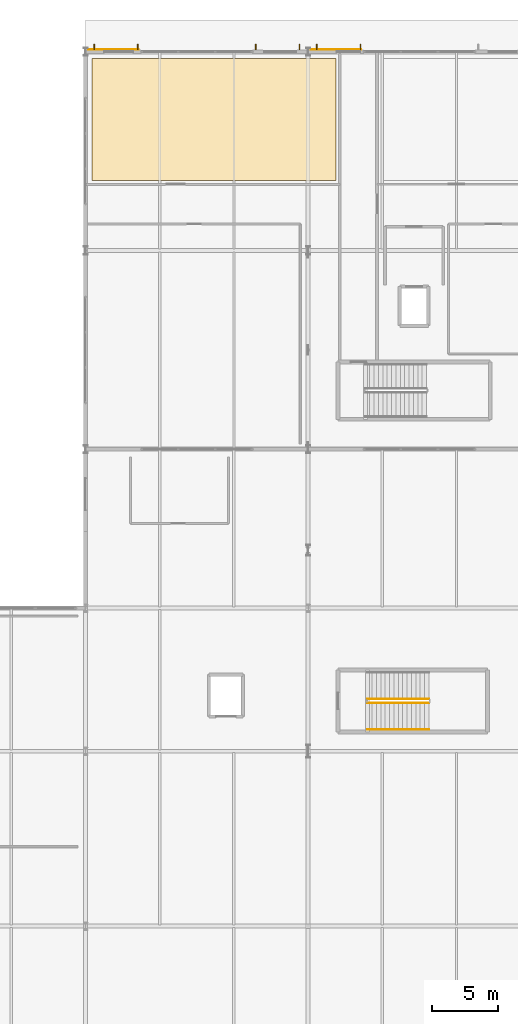
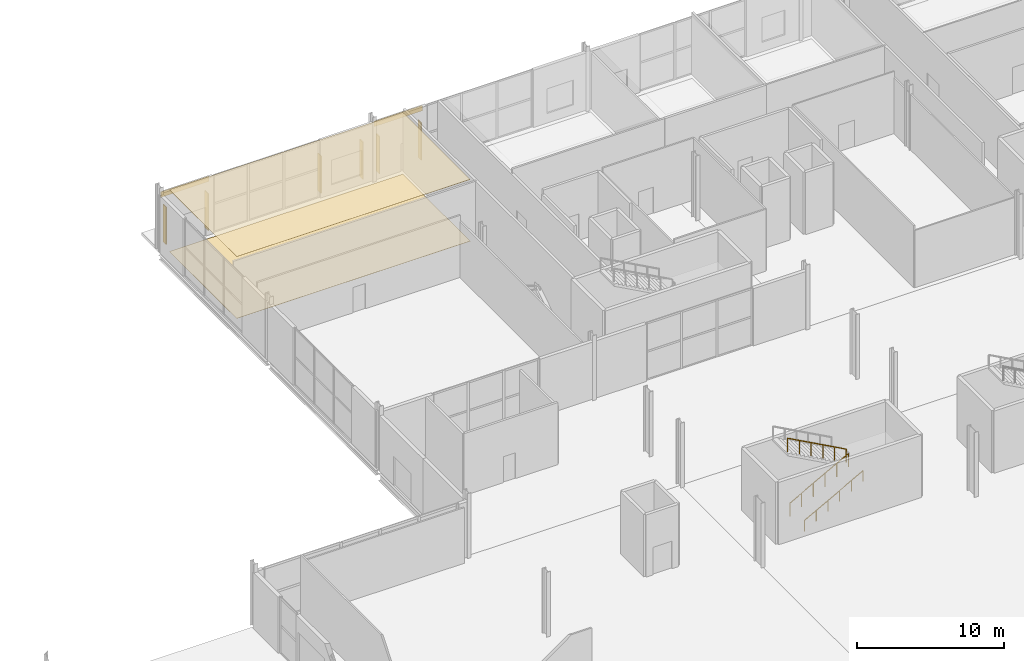
# One storey, part 76 of 87: 6 shading devices, 4 coverings, 3 railings.
"""IFC4 building model written with IfcOpenShell, lengths in metres."""

import ifcopenshell
import ifcopenshell.guid

model = None  # the IFC model being written
_history = None  # IfcOwnerHistory: only IFC2X3 demands one
_inside = {}  # id of a spatial element -> (the spatial element, [elements in it])
_under = {}  # id of a project, library or spatial element -> (it, [spatial elements below it])
_declared = {}  # id of a project -> (the project, [libraries it declares])
_typed = {}  # id of a type object -> (the type object, [elements of that type])
_made_of = {}  # id of a material, layer set ... -> (it, [elements and type objects made of it])


def new_model(schema):
    """Start an empty IFC model of exactly this schema.

    Asked for "IFC4X3", IfcOpenShell would pick the latest addendum, in which some entities
    have other attributes; the version numbers below select the first issue.
    IFC2X3 requires an IfcOwnerHistory on every rooted entity: one is made here for all.
    """
    global model, _history
    if schema == "IFC4X3":
        model = ifcopenshell.file(schema_version=(4, 3, 0, 0))
    else:
        model = ifcopenshell.file(schema=schema)
    _inside.clear()
    _under.clear()
    _declared.clear()
    _typed.clear()
    _made_of.clear()
    _history = None
    if model.schema == "IFC2X3":
        org = make("IfcOrganization", Name="unknown")
        user = make(
            "IfcPersonAndOrganization",
            ThePerson=make("IfcPerson", FamilyName="unknown"),
            TheOrganization=org,
        )
        app = make(
            "IfcApplication",
            ApplicationDeveloper=org,
            Version="unknown",
            ApplicationFullName="unknown",
            ApplicationIdentifier="unknown",
        )
        _history = make(
            "IfcOwnerHistory",
            OwningUser=user,
            OwningApplication=app,
            ChangeAction="ADDED",
            CreationDate=0,
        )
    return model


def make(cls, **values):
    """One entity of the class cls with the attributes given. An attribute that is None is left unset."""
    return model.create_entity(
        cls, **{name: value for name, value in values.items() if value is not None}
    )


def rooted(cls, **values):
    """An entity with a GlobalId (a new one), such as an element, a storey or a relation."""
    return make(cls, GlobalId=ifcopenshell.guid.new(), OwnerHistory=_history, **values)


def si_unit(unit_type, name, prefix=None):
    """IfcSIUnit, for example si_unit("LENGTHUNIT", "METRE", prefix="MILLI")."""
    return make("IfcSIUnit", UnitType=unit_type, Prefix=prefix, Name=name)


def assignment(units):
    """IfcUnitAssignment: the units of a project."""
    return None if units is None else make("IfcUnitAssignment", Units=units)


def point(xyz):
    """IfcCartesianPoint."""
    return None if xyz is None else make("IfcCartesianPoint", Coordinates=xyz)


def direction(xyz):
    """IfcDirection."""
    return None if xyz is None else make("IfcDirection", DirectionRatios=xyz)


def frame(location, z_axis=None, x_axis=None):
    """IfcAxis2Placement3D, a coordinate frame: its origin and axes. An axis left out is left unset."""
    return make(
        "IfcAxis2Placement3D",
        Location=point(location),
        Axis=direction(z_axis),
        RefDirection=direction(x_axis),
    )


def frame_2d(location, x_axis=None):
    """IfcAxis2Placement2D, a coordinate frame in the plane: its origin and x axis."""
    return make(
        "IfcAxis2Placement2D", Location=point(location), RefDirection=direction(x_axis)
    )


def origin():
    """The frame at (0, 0, 0) with its axes left unset."""
    return frame((0.0, 0.0, 0.0))


def origin_2d():
    """The frame at (0, 0) in the plane with its x axis left unset."""
    return frame_2d((0.0, 0.0))


def place(relative_to, where):
    """IfcLocalPlacement: puts the frame where relative to a parent placement (None: the world)."""
    return make(
        "IfcLocalPlacement", PlacementRelTo=relative_to, RelativePlacement=where
    )


def context(
    kind, dimensions, precision=None, world=None, true_north=None, identifier=None
):
    """IfcGeometricRepresentationContext, for example the 3D "Model" context."""
    return make(
        "IfcGeometricRepresentationContext",
        ContextIdentifier=identifier,
        ContextType=kind,
        CoordinateSpaceDimension=dimensions,
        Precision=precision,
        WorldCoordinateSystem=world,
        TrueNorth=true_north,
    )


def subcontext(parent, identifier, kind, view, scale=None):
    """IfcGeometricRepresentationSubContext, for example "Body" below "Model"."""
    return make(
        "IfcGeometricRepresentationSubContext",
        ContextIdentifier=identifier,
        ContextType=kind,
        ParentContext=parent,
        TargetScale=scale,
        TargetView=view,
    )


def project(units=None, contexts=None):
    """IfcProject with its units and contexts."""
    return rooted(
        "IfcProject",
        Name="project",
        RepresentationContexts=contexts,
        UnitsInContext=assignment(units),
    )


def spatial(cls, under=None, at=None, **own):
    """A site, building, storey or space (cls), placed at a placement, below another one or the project."""
    s = rooted(cls, ObjectPlacement=at, **own)
    if under is not None:
        _under.setdefault(under.id(), (under, []))[1].append(s)
    return s


def polyline(points):
    """IfcPolyline through the points."""
    return make("IfcPolyline", Points=[point(p) for p in points])


def profile(cls, at=None, kind="AREA", **sizes):
    """A parametric profile (cls). Its sizes go by their IFC names, for example OverallWidth=200.0."""
    return make(cls, ProfileType=kind, Position=at, **sizes)


def rectangle(**sizes):
    """IfcRectangleProfileDef."""
    return profile("IfcRectangleProfileDef", **sizes)


def circle(**sizes):
    """IfcCircleProfileDef."""
    return profile("IfcCircleProfileDef", **sizes)


def outline(outer, holes=None, kind="AREA"):
    """IfcArbitraryClosedProfileDef: a profile drawn as a closed curve; with holes, ...WithVoids."""
    if holes is None:
        return make("IfcArbitraryClosedProfileDef", ProfileType=kind, OuterCurve=outer)
    return make(
        "IfcArbitraryProfileDefWithVoids",
        ProfileType=kind,
        OuterCurve=outer,
        InnerCurves=holes,
    )


def extrude(swept, where, along, depth):
    """IfcExtrudedAreaSolid: the profile swept, set in the frame where, extruded along a direction by depth."""
    return make(
        "IfcExtrudedAreaSolid",
        SweptArea=swept,
        Position=where,
        ExtrudedDirection=direction(along),
        Depth=depth,
    )


def shape(context_of_items, identifier, shape_type, items):
    """IfcShapeRepresentation: the items that make up one representation, for example the "Body"."""
    return make(
        "IfcShapeRepresentation",
        ContextOfItems=context_of_items,
        RepresentationIdentifier=identifier,
        RepresentationType=shape_type,
        Items=items,
    )


def material(Name=None, Category=None):
    """IfcMaterial."""
    return make("IfcMaterial", Name=Name, Category=Category)


def layer(
    of_material, thickness, ventilated=None, Name=None, Category=None, Priority=None
):
    """IfcMaterialLayer: one layer of a wall or slab, of a material (None: an air gap)."""
    return make(
        "IfcMaterialLayer",
        Material=of_material,
        LayerThickness=thickness,
        IsVentilated=ventilated,
        Name=Name,
        Category=Category,
        Priority=Priority,
    )


def layer_set(layers, Name=None):
    """IfcMaterialLayerSet."""
    return make("IfcMaterialLayerSet", MaterialLayers=layers, LayerSetName=Name)


def made_of(thing, what):
    """Note that an element or type object is made of a material, layer set ...; save() writes the relation."""
    if what is not None:
        _made_of.setdefault(what.id(), (what, []))[1].append(thing)
    return thing


def type_object(cls, material=None, **own):
    """A type object (cls), such as IfcWallType, which elements share."""
    return made_of(rooted(cls, **own), material)


def element(
    cls,
    number,
    at=None,
    inside=None,
    cuts=None,
    type_object=None,
    material=None,
    context=None,
    identifier="Body",
    shape_type=None,
    held_by="IfcProductDefinitionShape",
    body=None,
    shapes=None,
    **own,
):
    """One element of the class cls, such as IfcWall. Its Tag is "e" and its number.

    at: its placement. inside: the storey or other place that contains it. cuts: it is an
    opening in that element (IfcRelVoidsElement). A single representation is given by context,
    identifier, shape_type and body (its items); several are given by shapes. held_by: the class
    of the entity that holds the representations. save() writes the other relations.
    """
    e = rooted(cls, Tag="e%d" % number, ObjectPlacement=at, **own)
    if body is not None:
        shapes = [shape(context, identifier, shape_type, body)]
    if shapes is not None:
        e.Representation = make(held_by, Representations=shapes)
    if inside is not None:
        _inside.setdefault(inside.id(), (inside, []))[1].append(e)
    if cuts is not None:
        rooted(
            "IfcRelVoidsElement", RelatingBuildingElement=cuts, RelatedOpeningElement=e
        )
    if type_object is not None:
        _typed.setdefault(type_object.id(), (type_object, []))[1].append(e)
    return made_of(e, material)


def aggregate(whole, parts):
    """IfcRelAggregates: a whole, such as a stair, and the parts it consists of."""
    return rooted("IfcRelAggregates", RelatingObject=whole, RelatedObjects=parts)


def save(model, path):
    """Write the relations noted so far, then the file.

    IfcRelAggregates (storeys below a building ...), IfcRelContainedInSpatialStructure (elements
    in a storey), IfcRelDefinesByType, IfcRelAssociatesMaterial and IfcRelDeclares: one each for
    every whole, place, type object, material and project.
    """
    for whole, parts in _under.values():
        aggregate(whole, parts)
    for where, things in _inside.values():
        rooted(
            "IfcRelContainedInSpatialStructure",
            RelatedElements=things,
            RelatingStructure=where,
        )
    for kind, things in _typed.values():
        rooted("IfcRelDefinesByType", RelatedObjects=things, RelatingType=kind)
    for what, things in _made_of.values():
        rooted("IfcRelAssociatesMaterial", RelatedObjects=things, RelatingMaterial=what)
    for by, libraries in _declared.values():
        rooted("IfcRelDeclares", RelatingContext=by, RelatedDefinitions=libraries)
    model.write(path)


model = new_model("IFC4")

# Units and contexts
model_context = context("Model", 3, precision=1e-05, world=origin(), true_north=direction((0.0, 1.0)))
body_context = subcontext(model_context, "Body", "Model", "MODEL_VIEW")
ifc_project = project(units=[si_unit("LENGTHUNIT", "METRE"), si_unit("AREAUNIT", "SQUARE_METRE"), si_unit("VOLUMEUNIT", "CUBIC_METRE"), si_unit("PLANEANGLEUNIT", "RADIAN"), si_unit("MASSUNIT", "GRAM", prefix="KILO")], contexts=[model_context])

# Site, building, storey
site_placement = place(None, origin())
site = spatial("IfcSite", under=ifc_project, at=site_placement, CompositionType="ELEMENT")
building_placement = place(site_placement, origin())
building = spatial("IfcBuilding", under=site, at=building_placement, Name="Kimbaza Rail Terminus", CompositionType="ELEMENT")
storey_placement = place(building_placement, origin())
storey = spatial("IfcBuildingStorey", under=building, at=storey_placement, Name="L00", CompositionType="ELEMENT", Elevation=0.0)

# Coverings
ifc_material_1 = material(Name="Perforated acoustic mineral ceiling tile", Category="gypsum")
ifc_layer_1 = layer(ifc_material_1, 0.02490234375)
ifc_layer_set_1 = layer_set([ifc_layer_1], Name="Perforated acoustic mineral ceiling tile")
covering_type_1 = type_object("IfcCoveringType", Name="ARC-COV-CEIL", PredefinedType="CEILING", material=ifc_layer_set_1)
covering_1_placement = place(storey_placement, frame((0.0, 0.0, 5.139892578125)))
element("IfcCovering", 1, at=covering_1_placement, inside=storey, type_object=covering_type_1, Name="Operations Staff Entrance Reception Acoustic Ceiling", PredefinedType="CEILING", context=body_context, shape_type="SweptSolid", body=[
    extrude(outline(polyline([(55.699951171875, 123.300048828125), (74.10009765625, 123.300048828125), (74.10009765625, 132.5), (55.699951171875, 132.5), (55.699951171875, 123.300048828125)])), origin(), (0.0, 0.0, 1.0), 0.025146484375),
])
ifc_material_2 = material(Name="Champagne anodised aluminium spandrel cladding", Category="aluminium")
ifc_layer_2 = layer(ifc_material_2, 0.034912109375)
ifc_layer_set_2 = layer_set([ifc_layer_2], Name="Champagne anodised aluminium spandrel cladding")
covering_type_2 = type_object("IfcCoveringType", Name="ARC-COV-CLD1", PredefinedType="CLADDING", material=ifc_layer_set_2)
for number, where, z_axis, x_axis, name in (
    (2, (57.300048828125, 133.156005859375, 4.240234375), (0.0, 0.0, 1.0), (1.0, 0.0, 0.0), "North Spandrel Cladding L00 Bay 1"),
    (3, (74.10009765625, 133.156005859375, 4.240234375), (0.0, 0.0, 1.0), (1.0, 0.0, 0.0), "North Spandrel Cladding L00 Bay 2"),
):
    element("IfcCovering", number, at=place(storey_placement, frame(where, z_axis=z_axis, x_axis=x_axis)), inside=storey, type_object=covering_type_2, Name=name, PredefinedType="CLADDING", context=body_context, shape_type="SweptSolid", body=[
        extrude(rectangle(XDim=3.800048828125, YDim=0.034912109375, at=origin_2d()), origin(), (0.0, 0.0, 1.0), 0.449951171875),
    ])
ifc_material_3 = material(Name="Honed Congolese granite terrazzo flooring", Category="masonry")
ifc_layer_3 = layer(ifc_material_3, 0.02001953125)
ifc_layer_set_3 = layer_set([ifc_layer_3], Name="Honed Congolese granite terrazzo flooring")
covering_type_3 = type_object("IfcCoveringType", Name="ARC-COV-FLOR", PredefinedType="FLOORING", material=ifc_layer_set_3)
covering_2_placement = place(storey_placement, origin())
element("IfcCovering", 4, at=covering_2_placement, inside=storey, type_object=covering_type_3, Name="Operations Staff Entrance Reception Terrazzo Flooring", PredefinedType="FLOORING", context=body_context, shape_type="SweptSolid", body=[
    extrude(outline(polyline([(55.699951171875, 123.300048828125), (74.10009765625, 123.300048828125), (74.10009765625, 132.5), (55.699951171875, 132.5), (55.699951171875, 123.300048828125)])), origin(), (0.0, 0.0, 1.0), 0.02001953125),
])

# Railings
ifc_material_4 = material(Name="Brushed stainless steel handrail", Category="steel")
railing_type_1 = type_object("IfcRailingType", Name="ARC-RL-HND92", PredefinedType="HANDRAIL", material=ifc_material_4)
railing_1_placement = place(storey_placement, frame((76.5, 81.85009765625, 0.179931640625)))
element("IfcRailing", 5, at=railing_1_placement, inside=storey, type_object=railing_type_1, Name="L00 ST-C1 stair handrail 1", PredefinedType="HANDRAIL", context=body_context, shape_type="SweptSolid", body=[
    extrude(circle(Radius=0.02392578125, at=origin_2d()), frame((0.0, 0.0, 0.8759765625), z_axis=(0.877899118682, 0.0, 0.478845630049), x_axis=(0.0, 1.0, 0.0)), (0.0, 0.0, 1.0), 5.2626953125),
    extrude(circle(Radius=0.02099609375, at=origin_2d()), origin(), (0.0, 0.0, 1.0), 0.851806640625),
    extrude(circle(Radius=0.02099609375, at=origin_2d()), frame((0.924072265625, 0.0, 0.50390625)), (0.0, 0.0, 1.0), 0.851806640625),
    extrude(circle(Radius=0.02099609375, at=origin_2d()), frame((1.84814453125, 0.0, 1.008056640625)), (0.0, 0.0, 1.0), 0.851806640625),
    extrude(circle(Radius=0.02099609375, at=origin_2d()), frame((2.77197265625, 0.0, 1.511962890625)), (0.0, 0.0, 1.0), 0.851806640625),
    extrude(circle(Radius=0.02099609375, at=origin_2d()), frame((3.696044921875, 0.0, 2.01611328125)), (0.0, 0.0, 1.0), 0.851806640625),
    extrude(circle(Radius=0.02099609375, at=origin_2d()), frame((4.6201171875, 0.0, 2.52001953125)), (0.0, 0.0, 1.0), 0.851806640625),
])
ifc_material_5 = material(Name="Painted tubular steel stair well guard", Category="steel")
railing_type_2 = type_object("IfcRailingType", Name="ARC-RL-STGRD", PredefinedType="GUARDRAIL", material=ifc_material_5)
railing_2_placement = place(storey_placement, frame((76.5, 83.85009765625, 0.179931640625)))
element("IfcRailing", 6, at=railing_2_placement, inside=storey, type_object=railing_type_2, Name="L00 ST-C1 stair guard 1", PredefinedType="GUARDRAIL", context=body_context, shape_type="SweptSolid", body=[
    extrude(circle(Radius=0.02392578125, at=origin_2d()), frame((0.0, 0.0, 1.09619140625), z_axis=(0.877899118682, 0.0, 0.478845630049), x_axis=(0.0, 1.0, 0.0)), (0.0, 0.0, 1.0), 5.2626953125),
    extrude(circle(Radius=0.02099609375, at=origin_2d()), origin(), (0.0, 0.0, 1.0), 1.072021484375),
    extrude(circle(Radius=0.02099609375, at=origin_2d()), frame((0.924072265625, 0.0, 0.50390625)), (0.0, 0.0, 1.0), 1.072021484375),
    extrude(circle(Radius=0.02099609375, at=origin_2d()), frame((1.84814453125, 0.0, 1.008056640625)), (0.0, 0.0, 1.0), 1.072021484375),
    extrude(circle(Radius=0.02099609375, at=origin_2d()), frame((2.77197265625, 0.0, 1.511962890625)), (0.0, 0.0, 1.0), 1.072021484375),
    extrude(circle(Radius=0.02099609375, at=origin_2d()), frame((3.696044921875, 0.0, 2.01611328125)), (0.0, 0.0, 1.0), 1.072021484375),
    extrude(circle(Radius=0.02099609375, at=origin_2d()), frame((4.6201171875, 0.0, 2.52001953125)), (0.0, 0.0, 1.0), 1.072021484375),
])
railing_3_placement = place(storey_placement, frame((81.1201171875, 84.14990234375, 2.8798828125)))
element("IfcRailing", 7, at=railing_3_placement, inside=storey, type_object=railing_type_2, Name="L00 ST-C1 stair guard 3", PredefinedType="GUARDRAIL", context=body_context, shape_type="SweptSolid", body=[
    extrude(circle(Radius=0.02392578125, at=origin_2d()), frame((0.0, 0.0, 1.09619140625), z_axis=(-0.877899118682, 0.0, 0.478845630049), x_axis=(0.0, -1.0, 0.0)), (0.0, 0.0, 1.0), 5.2626953125),
    extrude(circle(Radius=0.02099609375, at=origin_2d()), origin(), (0.0, 0.0, 1.0), 1.072021484375),
    extrude(circle(Radius=0.02099609375, at=origin_2d()), frame((-0.924072265625, 0.0, 0.50390625)), (0.0, 0.0, 1.0), 1.072021484375),
    extrude(circle(Radius=0.02099609375, at=origin_2d()), frame((-1.84814453125, 0.0, 1.008056640625)), (0.0, 0.0, 1.0), 1.072021484375),
    extrude(circle(Radius=0.02099609375, at=origin_2d()), frame((-2.77197265625, 0.0, 1.511962890625)), (0.0, 0.0, 1.0), 1.072021484375),
    extrude(circle(Radius=0.02099609375, at=origin_2d()), frame((-3.696044921875, 0.0, 2.01611328125)), (0.0, 0.0, 1.0), 1.072021484375),
    extrude(circle(Radius=0.02099609375, at=origin_2d()), frame((-4.6201171875, 0.0, 2.52001953125)), (0.0, 0.0, 1.0), 1.072021484375),
])

# Shading devices
ifc_material_6 = material(Name="Champagne anodised extruded aluminium", Category="aluminium")
shading_device_type = type_object("IfcShadingDeviceType", Name="ARC-SHD-FIN450", PredefinedType="USERDEFINED", material=ifc_material_6)
for number, where, z_axis, x_axis, name in (
    (8, (55.85009765625, 133.363037109375, 0.14990234375), (0.0, 0.0, 1.0), (1.0, 0.0, 0.0), "North Solar Fin L00 Bay 1.1"),
    (9, (59.14990234375, 133.363037109375, 0.14990234375), (0.0, 0.0, 1.0), (1.0, 0.0, 0.0), "North Solar Fin L00 Bay 1.2"),
    (10, (68.050048828125, 133.363037109375, 0.14990234375), (0.0, 0.0, 1.0), (1.0, 0.0, 0.0), "North Solar Fin L00 Bay 1.3"),
    (11, (71.35009765625, 133.363037109375, 0.14990234375), (0.0, 0.0, 1.0), (1.0, 0.0, 0.0), "North Solar Fin L00 Bay 1.4"),
    (12, (72.64990234375, 133.363037109375, 0.14990234375), (0.0, 0.0, 1.0), (1.0, 0.0, 0.0), "North Solar Fin L00 Bay 2.1"),
    (13, (75.949951171875, 133.363037109375, 0.14990234375), (0.0, 0.0, 1.0), (1.0, 0.0, 0.0), "North Solar Fin L00 Bay 2.2"),
):
    element("IfcShadingDevice", number, at=place(storey_placement, frame(where, z_axis=z_axis, x_axis=x_axis)), inside=storey, type_object=shading_device_type, Name=name, ObjectType="BRISE SOLEIL FIN", PredefinedType="USERDEFINED", context=body_context, shape_type="SweptSolid", body=[
        extrude(rectangle(XDim=0.06494140625, YDim=0.449951171875, at=origin_2d()), origin(), (0.0, 0.0, 1.0), 3.10009765625),
    ])

save(model, "model.ifc")
